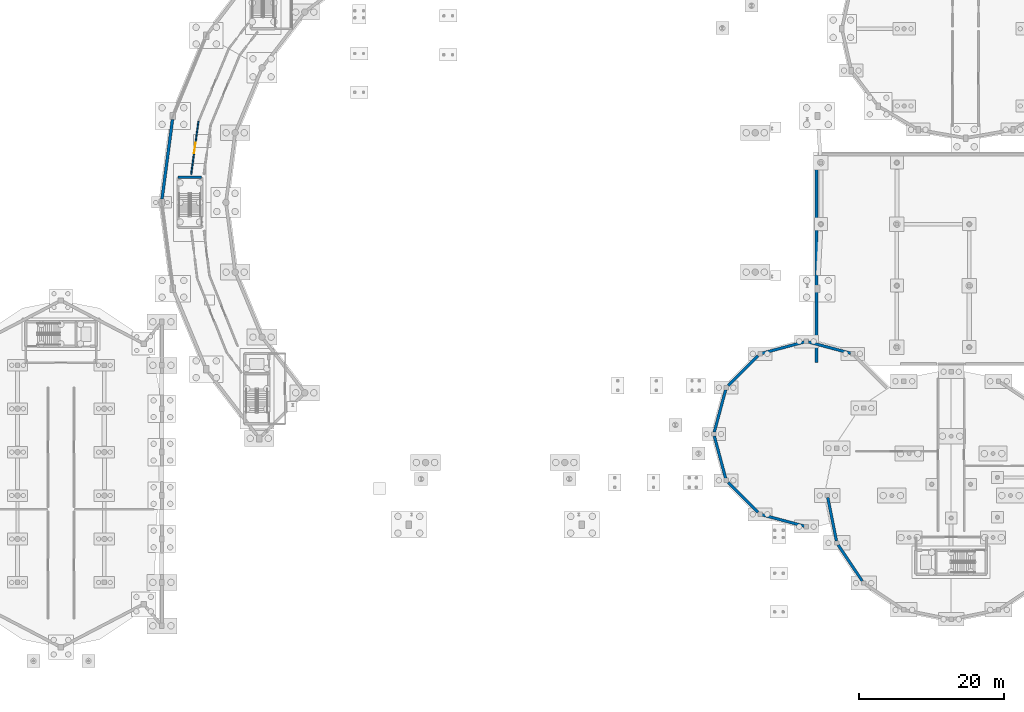
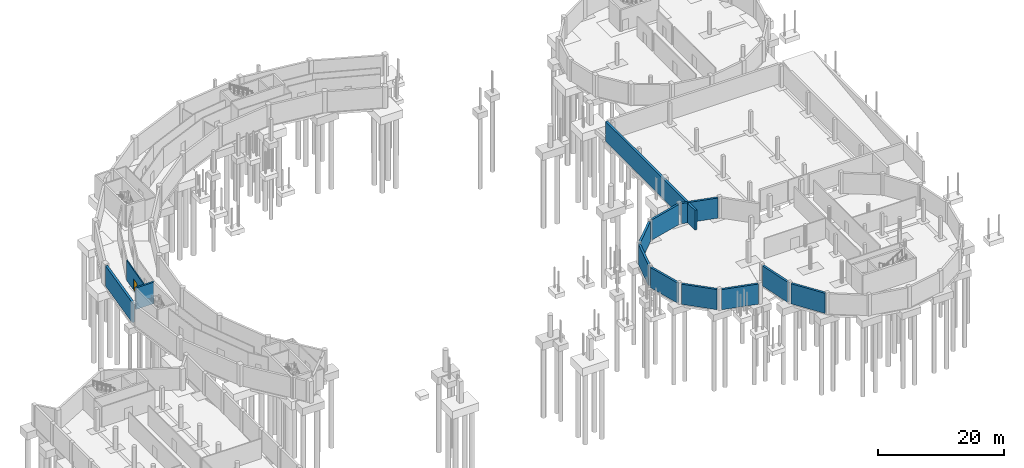
# One storey, part 32 of 43: 13 walls, 1 door, 1 opening.
"""IFC4 building model written with IfcOpenShell, lengths in metres."""

from ifc_helpers import new_model, si_unit, direction, frame, frame_2d, origin, place, context, subcontext, project, spatial, rectangle, extrude, material, layer, layer_set, type_object, element, fill, save


model = new_model("IFC4")

# Units and contexts
model_context = context("Model", 3, precision=1e-05, world=origin(), true_north=direction((0.0, 1.0)))
body_context = subcontext(model_context, "Body", "Model", "MODEL_VIEW")
ifc_project = project(units=[si_unit("LENGTHUNIT", "METRE"), si_unit("AREAUNIT", "SQUARE_METRE"), si_unit("VOLUMEUNIT", "CUBIC_METRE"), si_unit("PLANEANGLEUNIT", "RADIAN"), si_unit("MASSUNIT", "GRAM", prefix="KILO")], contexts=[model_context])

# Site, building, storey
site_placement = place(None, origin())
site = spatial("IfcSite", under=ifc_project, at=site_placement, CompositionType="ELEMENT")
building_placement = place(site_placement, origin())
building = spatial("IfcBuilding", under=site, at=building_placement, Name="Vespera Passage Community Centre", CompositionType="ELEMENT")
storey_placement = place(building_placement, frame((0.0, 0.0, -4.199951171875)))
storey = spatial("IfcBuildingStorey", under=building, at=storey_placement, Name="B1", CompositionType="ELEMENT", Elevation=-4.199951171875)

# Wall
ifc_material_1 = material(Name="Concrete f'c 45 MPa", Category="concrete")
ifc_layer_1 = layer(ifc_material_1, 0.300048828125)
ifc_layer_set_1 = layer_set([ifc_layer_1], Name="Concrete f'c 45 MPa")
wall_type_1 = type_object("IfcWallType", Name="WT-CORE-300I", PredefinedType="SHEAR", material=ifc_layer_set_1)
wall_1_placement = place(storey_placement, frame((34.14990234375, 68.97509765625, 0.0), z_axis=(0.0, 0.0, 1.0), x_axis=(1.0, 0.0, 0.0)))
element("IfcWall", 1, at=wall_1_placement, inside=storey, type_object=wall_type_1, Name="Core C2 B1 Shear Wall RIGHT", PredefinedType="SHEAR", context=body_context, shape_type="SweptSolid", body=[
    extrude(rectangle(XDim=3.300048828125, YDim=0.300048828125, at=frame_2d((1.64990234375, 0.0))), origin(), (0.0, 0.0, 1.0), 4.199951171875),
])

# Wall, opening, door
ifc_material_2 = material(Name="Gypsum board acoustic stud partition")
ifc_layer_2 = layer(ifc_material_2, 0.179931640625)
ifc_layer_set_2 = layer_set([ifc_layer_2], Name="Gypsum board acoustic stud partition")
wall_type_2 = type_object("IfcWallType", Name="WT-CORR-180I", PredefinedType="PARTITIONING", material=ifc_layer_set_2)
wall_2_placement = place(storey_placement, frame((37.0009765625, 76.695068359375, 0.0), z_axis=(0.0, 0.0, 1.0), x_axis=(-0.136812919882, -0.990596903363, 0.0)))
wall_2 = element("IfcWall", 2, at=wall_2_placement, inside=storey, type_object=wall_type_2, Name="B1 Interior Partition V4-B1-CO08.1", PredefinedType="PARTITIONING", context=body_context, shape_type="SweptSolid", body=[
    extrude(rectangle(XDim=7.3896484375, YDim=0.179931640625, at=frame_2d((3.69482421875, 0.0))), origin(), (0.0, 0.0, 1.0), 3.9150390625),
])
opening_placement = place(wall_2_placement, frame((2.9697265625, 0.0, 0.0)))
opening = element("IfcOpeningElement", 3, at=opening_placement, cuts=wall_2, Name="Opening DT-PLANT-145", PredefinedType="OPENING", context=body_context, shape_type="SweptSolid", body=[
    extrude(rectangle(XDim=1.449951171875, YDim=2.199951171875, at=frame_2d((0.72509765625, 1.10009765625))), frame((0.0, 0.099853515625, 0.0), z_axis=(0.0, -1.0, 0.0), x_axis=(1.0, 0.0, 0.0)), (0.0, 0.0, 1.0), 0.199951171875),
])
ifc_material_3 = material(Name="Painted hollow-metal acoustic door", Category="steel")
door_type = type_object("IfcDoorType", Name="DT-PLANT-145", OperationType="NOTDEFINED", PredefinedType="DOOR", material=ifc_material_3)
door_placement = place(opening_placement, origin())
door = element("IfcDoor", 4, at=door_placement, inside=storey, type_object=door_type, Name="B1 Interior Door D-133", OperationType="SINGLE_SWING_LEFT", OverallHeight=2.199951171875, OverallWidth=1.449951171875, PredefinedType="DOOR", context=body_context, shape_type="SweptSolid", body=[
    extrude(rectangle(XDim=1.449951171875, YDim=2.199951171875, at=frame_2d((0.72509765625, 1.10009765625))), frame((0.0, 0.02490234375, 0.0), z_axis=(0.0, -1.0, 0.0), x_axis=(1.0, 0.0, 0.0)), (0.0, 0.0, 1.0), 0.050048828125),
])
fill(opening, door)

# Walls
ifc_material_4 = material(Name="Concrete f'c 45 MPa", Category="concrete")
ifc_layer_3 = layer(ifc_material_4, 0.3798828125)
ifc_layer_set_3 = layer_set([ifc_layer_3], Name="Concrete f'c 45 MPa")
wall_type_3 = type_object("IfcWallType", Name="WT-RET-380E", PredefinedType="SHEAR", material=ifc_layer_set_3)
wall_3_placement = place(storey_placement, frame((125.14697265625, 18.731689453125, 0.0), z_axis=(0.0, 0.0, 1.0), x_axis=(-0.195101780047, 0.98078300119, 0.0)))
element("IfcWall", 5, at=wall_3_placement, inside=storey, type_object=wall_type_3, Name="V3 B1 Retaining Wall 9", PredefinedType="SHEAR", context=body_context, shape_type="SweptSolid", body=[
    extrude(rectangle(XDim=6.1103515625, YDim=0.3798828125, at=frame_2d((3.05517578125, 0.0))), origin(), (0.0, 0.0, 1.0), 3.919921875),
])
wall_4_placement = place(storey_placement, frame((128.721923828125, 13.187744140625, 0.0), z_axis=(0.0, 0.0, 1.0), x_axis=(-0.555573083966, 0.831467707354, 0.0)))
element("IfcWall", 6, at=wall_4_placement, inside=storey, type_object=wall_type_3, Name="V3 B1 Retaining Wall 10", PredefinedType="SHEAR", context=body_context, shape_type="SweptSolid", body=[
    extrude(rectangle(XDim=6.00048828125, YDim=0.3798828125, at=frame_2d((3.000244140625, 0.0))), origin(), (0.0, 0.0, 1.0), 3.919921875),
])
for number, where, z_axis, x_axis, name in (
    (7, (121.27587890625, 46.22607421875, 0.0), (0.0, 0.0, 1.0), (0.965920331482, -0.258839551131, 0.0), "V3A B1 Cafe Wing Retaining Wall 3"),
    (8, (114.8759765625, 44.658935546875, 0.0), (0.0, 0.0, 1.0), (0.965920331482, 0.258839551131, 0.0), "V3A B1 Cafe Wing Retaining Wall 4"),
):
    element("IfcWall", number, at=place(storey_placement, frame(where, z_axis=z_axis, x_axis=x_axis)), inside=storey, type_object=wall_type_3, Name=name, PredefinedType="SHEAR", context=body_context, shape_type="SweptSolid", body=[
        extrude(rectangle(XDim=6.054443359375, YDim=0.3798828125, at=frame_2d((3.02734375, 0.0))), origin(), (0.0, 0.0, 1.0), 3.919921875),
    ])
wall_5_placement = place(storey_placement, frame((110.197265625, 40.182373046875, 0.0), z_axis=(0.0, 0.0, 1.0), x_axis=(0.707106781187, 0.707106781187, 0.0)))
element("IfcWall", 9, at=wall_5_placement, inside=storey, type_object=wall_type_3, Name="V3A B1 Cafe Wing Retaining Wall 5", PredefinedType="SHEAR", context=body_context, shape_type="SweptSolid", body=[
    extrude(rectangle(XDim=5.8271484375, YDim=0.3798828125, at=frame_2d((2.91357421875, 0.0))), origin(), (0.0, 0.0, 1.0), 3.919921875),
])
for number, where, z_axis, x_axis, name in (
    (10, (108.27392578125, 33.77587890625, 0.0), (0.0, 0.0, 1.0), (0.258839551131, 0.965920331482, 0.0), "V3A B1 Cafe Wing Retaining Wall 6"),
    (11, (109.841064453125, 27.3759765625, 0.0), (0.0, 0.0, 1.0), (-0.258839551131, 0.965920331482, 0.0), "V3A B1 Cafe Wing Retaining Wall 7"),
):
    element("IfcWall", number, at=place(storey_placement, frame(where, z_axis=z_axis, x_axis=x_axis)), inside=storey, type_object=wall_type_3, Name=name, PredefinedType="SHEAR", context=body_context, shape_type="SweptSolid", body=[
        extrude(rectangle(XDim=6.054443359375, YDim=0.3798828125, at=frame_2d((3.02734375, 0.0))), origin(), (0.0, 0.0, 1.0), 3.919921875),
    ])
wall_6_placement = place(storey_placement, frame((114.317626953125, 22.697265625, 0.0), z_axis=(0.0, 0.0, 1.0), x_axis=(-0.707106781187, 0.707106781187, 0.0)))
element("IfcWall", 12, at=wall_6_placement, inside=storey, type_object=wall_type_3, Name="V3A B1 Cafe Wing Retaining Wall 8", PredefinedType="SHEAR", context=body_context, shape_type="SweptSolid", body=[
    extrude(rectangle(XDim=5.8271484375, YDim=0.3798828125, at=frame_2d((2.91357421875, 0.0))), origin(), (0.0, 0.0, 1.0), 3.919921875),
])
wall_7_placement = place(storey_placement, frame((120.72412109375, 20.77392578125, 0.0), z_axis=(0.0, 0.0, 1.0), x_axis=(-0.965920331482, 0.258839551131, 0.0)))
element("IfcWall", 13, at=wall_7_placement, inside=storey, type_object=wall_type_3, Name="V3A B1 Cafe Wing Retaining Wall 9", PredefinedType="SHEAR", context=body_context, shape_type="SweptSolid", body=[
    extrude(rectangle(XDim=6.054443359375, YDim=0.3798828125, at=frame_2d((3.02734375, 0.0))), origin(), (0.0, 0.0, 1.0), 3.919921875),
])
ifc_material_5 = material(Name="Concrete f'c 45 MPa", Category="concrete")
ifc_layer_4 = layer(ifc_material_5, 0.39990234375)
ifc_layer_set_4 = layer_set([ifc_layer_4], Name="Concrete f'c 45 MPa")
wall_type_4 = type_object("IfcWallType", Name="WT-RET-400E", PredefinedType="SHEAR", material=ifc_layer_set_4)
wall_8_placement = place(storey_placement, frame((31.962646484375, 65.97509765625, 0.0), z_axis=(0.0, 0.0, 1.0), x_axis=(0.130513242145, 0.991446566197, 0.0)))
element("IfcWall", 14, at=wall_8_placement, inside=storey, type_object=wall_type_4, Name="V4 B1 Outer Retaining Wall 11", PredefinedType="SHEAR", context=body_context, shape_type="SweptSolid", body=[
    extrude(rectangle(XDim=11.075927734375, YDim=0.39990234375, at=frame_2d((5.5380859375, 0.0))), origin(), (0.0, 0.0, 1.0), 3.919921875),
])
wall_9_placement = place(storey_placement, frame((122.39990234375, 43.39990234375, 0.0), z_axis=(0.0, 0.0, 1.0), x_axis=(0.0, 1.0, 0.0)))
element("IfcWall", 15, at=wall_9_placement, inside=storey, type_object=wall_type_4, Name="B1 Car Park Retaining Wall W", PredefinedType="SHEAR", context=body_context, shape_type="SweptSolid", body=[
    extrude(rectangle(XDim=28.5, YDim=0.39990234375, at=frame_2d((14.25, 0.0))), origin(), (0.0, 0.0, 1.0), 3.85986328125),
])

save(model, "model.ifc")
